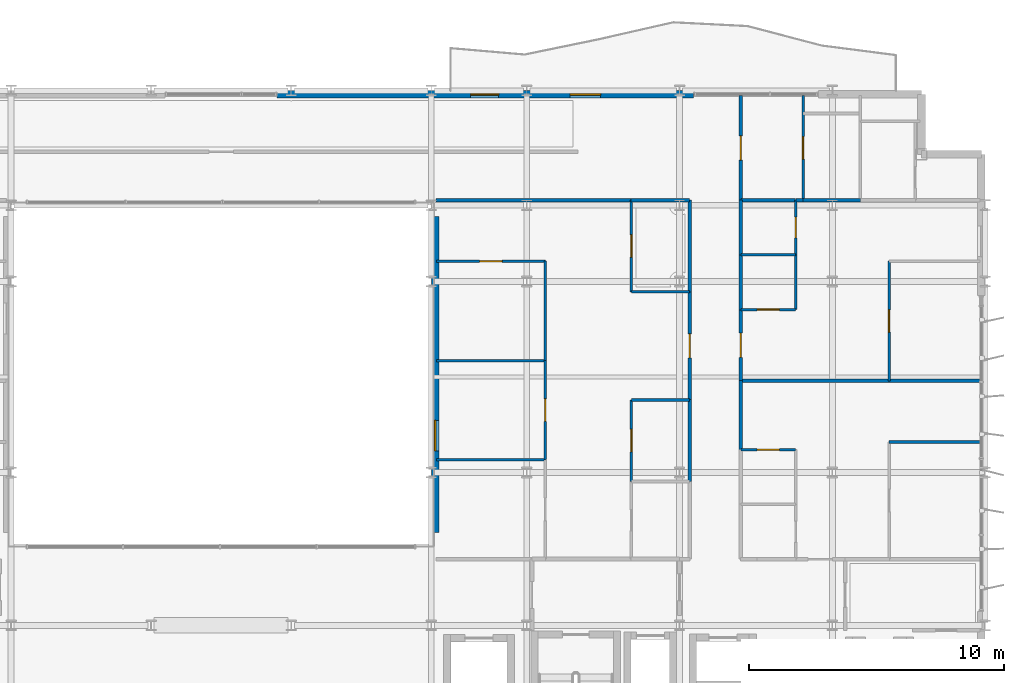
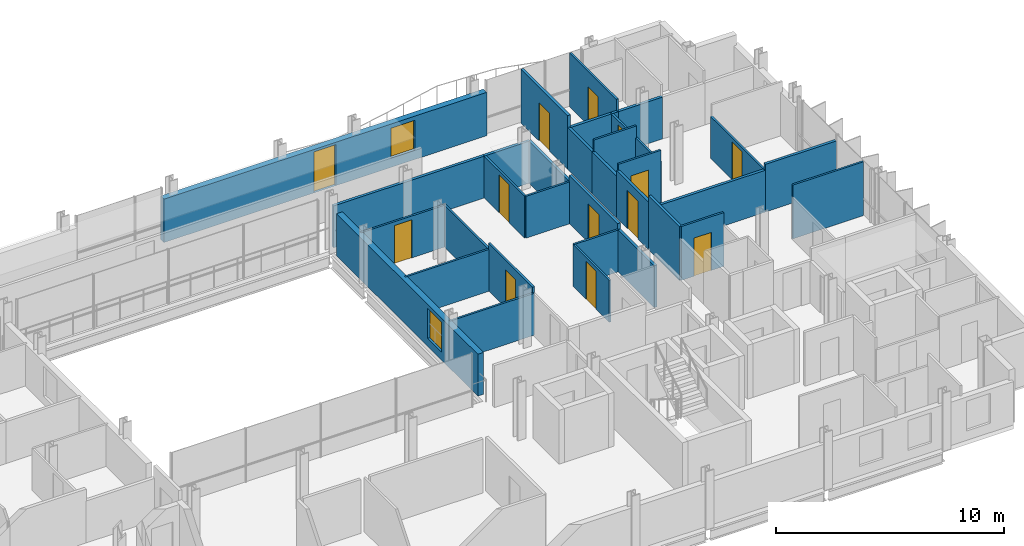
# One storey, part 32 of 39: 34 walls, 13 doors, 2 windows, 15 openings.
"""IFC4 building model written with IfcOpenShell, lengths in metres."""

from ifc_helpers import new_model, si_unit, direction, frame, frame_2d, origin, place, context, subcontext, project, spatial, rectangle, extrude, material, layer, layer_set, type_object, element, fill, save


model = new_model("IFC4")

# Units and contexts
model_context = context("Model", 3, precision=1e-05, world=origin(), true_north=direction((0.0, 1.0)))
body_context = subcontext(model_context, "Body", "Model", "MODEL_VIEW")
ifc_project = project(units=[si_unit("LENGTHUNIT", "METRE"), si_unit("AREAUNIT", "SQUARE_METRE"), si_unit("VOLUMEUNIT", "CUBIC_METRE"), si_unit("PLANEANGLEUNIT", "RADIAN"), si_unit("MASSUNIT", "GRAM", prefix="KILO")], contexts=[model_context])

# Site, building, storey
site_placement = place(None, origin())
site = spatial("IfcSite", under=ifc_project, at=site_placement, CompositionType="ELEMENT")
building_placement = place(site_placement, origin())
building = spatial("IfcBuilding", under=site, at=building_placement, Name="Brevholm Reach", CompositionType="ELEMENT")
storey_placement = place(building_placement, frame((0.0, 0.0, 109.699951171875)))
storey = spatial("IfcBuildingStorey", under=building, at=storey_placement, Name="L32", CompositionType="ELEMENT", Elevation=109.699951171875)

# Wall, openings, door, window
ifc_material_1 = material(Name="Concrete C40/50", Category="concrete")
ifc_layer_1 = layer(ifc_material_1, 0.300048828125)
ifc_layer_set_1 = layer_set([ifc_layer_1], Name="Concrete C40/50")
wall_type_1 = type_object("IfcWallType", Name="WAL-EXT-300", PredefinedType="STANDARD", material=ifc_layer_set_1)
wall_1_placement = place(storey_placement, frame((32.199951171875, 30.85009765625, 0.0), z_axis=(0.0, 0.0, 1.0), x_axis=(1.0, 0.0, 0.0)))
wall_1 = element("IfcWall", 1, at=wall_1_placement, inside=storey, type_object=wall_type_1, Name="L32 Facade Wall WAL-L32-NP-ER", PredefinedType="STANDARD", context=body_context, shape_type="SweptSolid", body=[
    extrude(rectangle(XDim=16.35009765625, YDim=0.300048828125, at=frame_2d((8.175048828125, 0.0))), origin(), (0.0, 0.0, 1.0), 2.322021484375),
])
opening_1_placement = place(wall_1_placement, frame((7.60009765625, 0.0, 0.0)))
opening_1 = element("IfcOpeningElement", 2, at=opening_1_placement, cuts=wall_1, Name="Opening BD-01", PredefinedType="OPENING", context=body_context, shape_type="SweptSolid", body=[
    extrude(rectangle(XDim=1.10009765625, YDim=2.199951171875, at=frame_2d((0.550048828125, 1.10009765625))), frame((0.0, 0.159912109375, 0.0), z_axis=(0.0, -1.0, 0.0), x_axis=(1.0, 0.0, 0.0)), (0.0, 0.0, 1.0), 0.320068359375),
])
opening_2_placement = place(wall_1_placement, frame((11.5, 0.0, 0.501953125)))
opening_2 = element("IfcOpeningElement", 3, at=opening_2_placement, cuts=wall_1, Name="Opening WN-08", PredefinedType="OPENING", context=body_context, shape_type="SweptSolid", body=[
    extrude(rectangle(XDim=1.199951171875, YDim=1.60009765625, at=frame_2d((0.60009765625, 0.800048828125))), frame((0.0, 0.159912109375, 0.0), z_axis=(0.0, -1.0, 0.0), x_axis=(1.0, 0.0, 0.0)), (0.0, 0.0, 1.0), 0.320068359375),
])
ifc_material_2 = material(Name="Dark Anodised Aluminium and Triple-Glazed Glass", Category="aluminium")
door_type_1 = type_object("IfcDoorType", Name="DOR-BALC-1100", OperationType="NOTDEFINED", PredefinedType="DOOR", material=ifc_material_2)
door_1_placement = place(opening_1_placement, origin())
door_1 = element("IfcDoor", 4, at=door_1_placement, inside=storey, type_object=door_type_1, Name="L32 Exterior Door DOR-L32-BL-NE", OperationType="SINGLE_SWING_RIGHT", OverallHeight=2.199951171875, OverallWidth=1.10009765625, PredefinedType="DOOR", context=body_context, shape_type="SweptSolid", body=[
    extrude(rectangle(XDim=1.10009765625, YDim=2.199951171875, at=frame_2d((0.550048828125, 1.10009765625))), frame((0.0, 0.02490234375, 0.0), z_axis=(0.0, -1.0, 0.0), x_axis=(1.0, 0.0, 0.0)), (0.0, 0.0, 1.0), 0.050048828125),
])
fill(opening_1, door_1)
ifc_material_3 = material(Name="Dark Anodised Aluminium and Solar-Control IGU Glass", Category="aluminium")
window_type = type_object("IfcWindowType", Name="WIN-RES-1200", PartitioningType="SINGLE_PANEL", PredefinedType="WINDOW", material=ifc_material_3)
window_1_placement = place(opening_2_placement, origin())
window_1 = element("IfcWindow", 5, at=window_1_placement, inside=storey, type_object=window_type, Name="L32 Window WIN-L32-NP-ER1", OverallHeight=1.60009765625, OverallWidth=1.199951171875, PartitioningType="SINGLE_PANEL", PredefinedType="WINDOW", context=body_context, shape_type="SweptSolid", body=[
    extrude(rectangle(XDim=1.199951171875, YDim=1.60009765625, at=frame_2d((0.60009765625, 0.800048828125))), frame((0.0, 0.030029296875, 0.0), z_axis=(0.0, -1.0, 0.0), x_axis=(1.0, 0.0, 0.0)), (0.0, 0.0, 1.0), 0.06005859375),
])
fill(opening_2, window_1)

# Wall, opening, window
wall_2_placement = place(storey_placement, frame((38.39990234375, 13.64990234375, 0.0), z_axis=(0.0, 0.0, 1.0), x_axis=(0.0, 1.0, 0.0)))
wall_2 = element("IfcWall", 6, at=wall_2_placement, inside=storey, type_object=wall_type_1, Name="L32 Facade Wall WAL-L32-AT-E", PredefinedType="STANDARD", context=body_context, shape_type="SweptSolid", body=[
    extrude(rectangle(XDim=12.400146484375, YDim=0.300048828125, at=frame_2d((6.2001953125, 0.0))), origin(), (0.0, 0.0, 1.0), 2.242919921875),
])
opening_3_placement = place(wall_2_placement, frame((3.199951171875, 0.0, 0.423095703125)))
opening_3 = element("IfcOpeningElement", 7, at=opening_3_placement, cuts=wall_2, Name="Opening WN-08", PredefinedType="OPENING", context=body_context, shape_type="SweptSolid", body=[
    extrude(rectangle(XDim=1.199951171875, YDim=1.60009765625, at=frame_2d((0.60009765625, 0.800048828125))), frame((0.0, 0.159912109375, 0.0), z_axis=(0.0, -1.0, 0.0), x_axis=(1.0, 0.0, 0.0)), (0.0, 0.0, 1.0), 0.320068359375),
])
window_2_placement = place(opening_3_placement, origin())
window_2 = element("IfcWindow", 8, at=window_2_placement, inside=storey, type_object=window_type, Name="L32 Window WIN-L32-AT-E1", OverallHeight=1.60009765625, OverallWidth=1.199951171875, PartitioningType="SINGLE_PANEL", PredefinedType="WINDOW", context=body_context, shape_type="SweptSolid", body=[
    extrude(rectangle(XDim=1.199951171875, YDim=1.60009765625, at=frame_2d((0.60009765625, 0.800048828125))), frame((0.0, 0.030029296875, 0.0), z_axis=(0.0, -1.0, 0.0), x_axis=(1.0, 0.0, 0.0)), (0.0, 0.0, 1.0), 0.06005859375),
])
fill(opening_3, window_2)

# Wall
ifc_material_4 = material(Name="Moisture-Resistant Acoustic Gypsum Stud Partition 100 mm", Category="gypsum")
ifc_layer_2 = layer(ifc_material_4, 0.10009765625)
ifc_layer_set_2 = layer_set([ifc_layer_2], Name="Moisture-Resistant Acoustic Gypsum Stud Partition 100 mm")
wall_type_2 = type_object("IfcWallType", Name="WAL-PRT-100", PredefinedType="PARTITIONING", material=ifc_layer_set_2)
wall_3_placement = place(storey_placement, frame((46.112060546875, 18.85009765625, 0.0), z_axis=(0.0, 0.0, 1.0), x_axis=(1.0, 0.0, 0.0)))
element("IfcWall", 9, at=wall_3_placement, inside=storey, type_object=wall_type_2, Name="L32 Internal Partition 127", PredefinedType="PARTITIONING", context=body_context, shape_type="SweptSolid", body=[
    extrude(rectangle(XDim=2.283935546875, YDim=0.10009765625, at=frame_2d((1.14208984375, 0.0))), origin(), (0.0, 0.0, 1.0), 2.242919921875),
])

# Wall, opening, door
wall_4_placement = place(storey_placement, frame((46.112060546875, 15.654052734375, 0.0), z_axis=(0.0, 0.0, 1.0), x_axis=(0.0, 1.0, 0.0)))
wall_4 = element("IfcWall", 10, at=wall_4_placement, inside=storey, type_object=wall_type_2, Name="L32 Internal Partition 128", PredefinedType="PARTITIONING", context=body_context, shape_type="SweptSolid", body=[
    extrude(rectangle(XDim=3.196044921875, YDim=0.10009765625, at=frame_2d((1.59814453125, 0.0))), origin(), (0.0, 0.0, 1.0), 2.242919921875),
])
opening_4_placement = place(wall_4_placement, frame((1.157958984375, 0.0, 0.0)))
opening_4 = element("IfcOpeningElement", 11, at=opening_4_placement, cuts=wall_4, Name="Opening ID-01", PredefinedType="OPENING", context=body_context, shape_type="SweptSolid", body=[
    extrude(rectangle(XDim=0.8798828125, YDim=2.0400390625, at=frame_2d((0.43994140625, 1.02001953125))), frame((0.0, 0.06005859375, 0.0), z_axis=(0.0, -1.0, 0.0), x_axis=(1.0, 0.0, 0.0)), (0.0, 0.0, 1.0), 0.1201171875),
])
ifc_material_5 = material(Name="Lacquered Ash Solid-Core Acoustic Internal Door", Category="timber")
door_type_2 = type_object("IfcDoorType", Name="DOR-INT-880", OperationType="NOTDEFINED", PredefinedType="DOOR", material=ifc_material_5)
door_2_placement = place(opening_4_placement, origin())
door_2 = element("IfcDoor", 12, at=door_2_placement, inside=storey, type_object=door_type_2, Name="L32 Internal Door 047", OperationType="SINGLE_SWING_LEFT", OverallHeight=2.0400390625, OverallWidth=0.8798828125, PredefinedType="DOOR", context=body_context, shape_type="SweptSolid", body=[
    extrude(rectangle(XDim=0.8798828125, YDim=2.0400390625, at=frame_2d((0.43994140625, 1.02001953125))), frame((0.0, 0.02490234375, 0.0), z_axis=(0.0, -1.0, 0.0), x_axis=(1.0, 0.0, 0.0)), (0.0, 0.0, 1.0), 0.050048828125),
])
fill(opening_4, door_2)

# Wall
wall_5_placement = place(storey_placement, frame((46.112060546875, 23.10009765625, 0.0), z_axis=(0.0, 0.0, 1.0), x_axis=(1.0, 0.0, 0.0)))
element("IfcWall", 13, at=wall_5_placement, inside=storey, type_object=wall_type_2, Name="L32 Internal Partition 129", PredefinedType="PARTITIONING", context=body_context, shape_type="SweptSolid", body=[
    extrude(rectangle(XDim=2.283935546875, YDim=0.10009765625, at=frame_2d((1.14208984375, 0.0))), origin(), (0.0, 0.0, 1.0), 2.242919921875),
])

# Wall, opening, door
wall_6_placement = place(storey_placement, frame((46.112060546875, 23.10009765625, 0.0), z_axis=(0.0, 0.0, 1.0), x_axis=(0.0, 1.0, 0.0)))
wall_6 = element("IfcWall", 14, at=wall_6_placement, inside=storey, type_object=wall_type_2, Name="L32 Internal Partition 130", PredefinedType="PARTITIONING", context=body_context, shape_type="SweptSolid", body=[
    extrude(rectangle(XDim=3.595947265625, YDim=0.10009765625, at=frame_2d((1.7978515625, 0.0))), origin(), (0.0, 0.0, 1.0), 2.242919921875),
])
opening_5_placement = place(wall_6_placement, frame((1.35791015625, 0.0, 0.0)))
opening_5 = element("IfcOpeningElement", 15, at=opening_5_placement, cuts=wall_6, Name="Opening ID-01", PredefinedType="OPENING", context=body_context, shape_type="SweptSolid", body=[
    extrude(rectangle(XDim=0.8798828125, YDim=2.0400390625, at=frame_2d((0.43994140625, 1.02001953125))), frame((0.0, 0.06005859375, 0.0), z_axis=(0.0, -1.0, 0.0), x_axis=(1.0, 0.0, 0.0)), (0.0, 0.0, 1.0), 0.1201171875),
])
door_3_placement = place(opening_5_placement, origin())
door_3 = element("IfcDoor", 16, at=door_3_placement, inside=storey, type_object=door_type_2, Name="L32 Internal Door 048", OperationType="SINGLE_SWING_RIGHT", OverallHeight=2.0400390625, OverallWidth=0.8798828125, PredefinedType="DOOR", context=body_context, shape_type="SweptSolid", body=[
    extrude(rectangle(XDim=0.8798828125, YDim=2.0400390625, at=frame_2d((0.43994140625, 1.02001953125))), frame((0.0, 0.02490234375, 0.0), z_axis=(0.0, -1.0, 0.0), x_axis=(1.0, 0.0, 0.0)), (0.0, 0.0, 1.0), 0.050048828125),
])
fill(opening_5, door_3)

# Walls
for number, where, z_axis, x_axis, name in (
    (17, (38.449951171875, 16.5, 0.0), (0.0, 0.0, 1.0), (1.0, 0.0, 0.0), "L32 Internal Partition 131"),
    (18, (38.449951171875, 20.39990234375, 0.0), (0.0, 0.0, 1.0), (1.0, 0.0, 0.0), "L32 Internal Partition 133"),
):
    element("IfcWall", number, at=place(storey_placement, frame(where, z_axis=z_axis, x_axis=x_axis)), inside=storey, type_object=wall_type_2, Name=name, PredefinedType="PARTITIONING", context=body_context, shape_type="SweptSolid", body=[
        extrude(rectangle(XDim=4.278076171875, YDim=0.10009765625, at=frame_2d((2.13916015625, 0.0))), origin(), (0.0, 0.0, 1.0), 2.242919921875),
    ])

# Wall, opening, door
wall_7_placement = place(storey_placement, frame((42.72802734375, 16.50390625, 0.0), z_axis=(0.0, 0.0, 1.0), x_axis=(0.0, 1.0, 0.0)))
wall_7 = element("IfcWall", 19, at=wall_7_placement, inside=storey, type_object=wall_type_2, Name="L32 Internal Partition 134", PredefinedType="PARTITIONING", context=body_context, shape_type="SweptSolid", body=[
    extrude(rectangle(XDim=3.89599609375, YDim=0.10009765625, at=frame_2d((1.947998046875, 0.0))), origin(), (0.0, 0.0, 1.0), 2.5517578125),
])
opening_6_placement = place(wall_7_placement, frame((1.508056640625, 0.0, 0.0)))
opening_6 = element("IfcOpeningElement", 20, at=opening_6_placement, cuts=wall_7, Name="Opening ID-01", PredefinedType="OPENING", context=body_context, shape_type="SweptSolid", body=[
    extrude(rectangle(XDim=0.8798828125, YDim=2.0400390625, at=frame_2d((0.43994140625, 1.02001953125))), frame((0.0, 0.06005859375, 0.0), z_axis=(0.0, -1.0, 0.0), x_axis=(1.0, 0.0, 0.0)), (0.0, 0.0, 1.0), 0.1201171875),
])
door_4_placement = place(opening_6_placement, origin())
door_4 = element("IfcDoor", 21, at=door_4_placement, inside=storey, type_object=door_type_2, Name="L32 Internal Door 050", OperationType="SINGLE_SWING_RIGHT", OverallHeight=2.0400390625, OverallWidth=0.8798828125, PredefinedType="DOOR", context=body_context, shape_type="SweptSolid", body=[
    extrude(rectangle(XDim=0.8798828125, YDim=2.0400390625, at=frame_2d((0.43994140625, 1.02001953125))), frame((0.0, 0.02490234375, 0.0), z_axis=(0.0, -1.0, 0.0), x_axis=(1.0, 0.0, 0.0)), (0.0, 0.0, 1.0), 0.050048828125),
])
fill(opening_6, door_4)

# Wall
wall_8_placement = place(storey_placement, frame((42.72802734375, 20.404052734375, 0.0), z_axis=(0.0, 0.0, 1.0), x_axis=(0.0, 1.0, 0.0)))
element("IfcWall", 22, at=wall_8_placement, inside=storey, type_object=wall_type_2, Name="L32 Internal Partition 135", PredefinedType="PARTITIONING", context=body_context, shape_type="SweptSolid", body=[
    extrude(rectangle(XDim=3.89599609375, YDim=0.10009765625, at=frame_2d((1.947998046875, 0.0))), origin(), (0.0, 0.0, 1.0), 2.242919921875),
])

# Wall, opening, door
wall_9_placement = place(storey_placement, frame((38.449951171875, 24.300048828125, 0.0), z_axis=(0.0, 0.0, 1.0), x_axis=(1.0, 0.0, 0.0)))
wall_9 = element("IfcWall", 23, at=wall_9_placement, inside=storey, type_object=wall_type_2, Name="L32 Internal Partition 136", PredefinedType="PARTITIONING", context=body_context, shape_type="SweptSolid", body=[
    extrude(rectangle(XDim=4.278076171875, YDim=0.10009765625, at=frame_2d((2.13916015625, 0.0))), origin(), (0.0, 0.0, 1.0), 2.242919921875),
])
opening_7_placement = place(wall_9_placement, frame((1.698974609375, 0.0, 0.0)))
opening_7 = element("IfcOpeningElement", 24, at=opening_7_placement, cuts=wall_9, Name="Opening ID-01", PredefinedType="OPENING", context=body_context, shape_type="SweptSolid", body=[
    extrude(rectangle(XDim=0.8798828125, YDim=2.0400390625, at=frame_2d((0.43994140625, 1.02001953125))), frame((0.0, 0.06005859375, 0.0), z_axis=(0.0, -1.0, 0.0), x_axis=(1.0, 0.0, 0.0)), (0.0, 0.0, 1.0), 0.1201171875),
])
door_5_placement = place(opening_7_placement, origin())
door_5 = element("IfcDoor", 25, at=door_5_placement, inside=storey, type_object=door_type_2, Name="L32 Internal Door 051", OperationType="SINGLE_SWING_LEFT", OverallHeight=2.0400390625, OverallWidth=0.8798828125, PredefinedType="DOOR", context=body_context, shape_type="SweptSolid", body=[
    extrude(rectangle(XDim=0.8798828125, YDim=2.0400390625, at=frame_2d((0.43994140625, 1.02001953125))), frame((0.0, 0.02490234375, 0.0), z_axis=(0.0, -1.0, 0.0), x_axis=(1.0, 0.0, 0.0)), (0.0, 0.0, 1.0), 0.050048828125),
])
fill(opening_7, door_5)

wall_10_placement = place(storey_placement, frame((50.404052734375, 16.89990234375, 0.0), z_axis=(0.0, 0.0, 1.0), x_axis=(1.0, 0.0, 0.0)))
wall_10 = element("IfcWall", 26, at=wall_10_placement, inside=storey, type_object=wall_type_2, Name="L32 Internal Partition 140", PredefinedType="PARTITIONING", context=body_context, shape_type="SweptSolid", body=[
    extrude(rectangle(XDim=2.157958984375, YDim=0.10009765625, at=frame_2d((1.0791015625, 0.0))), origin(), (0.0, 0.0, 1.0), 2.880126953125),
])
opening_8_placement = place(wall_10_placement, frame((0.638916015625, 0.0, 0.0)))
opening_8 = element("IfcOpeningElement", 27, at=opening_8_placement, cuts=wall_10, Name="Opening ID-01", PredefinedType="OPENING", context=body_context, shape_type="SweptSolid", body=[
    extrude(rectangle(XDim=0.8798828125, YDim=2.0400390625, at=frame_2d((0.43994140625, 1.02001953125))), frame((0.0, 0.06005859375, 0.0), z_axis=(0.0, -1.0, 0.0), x_axis=(1.0, 0.0, 0.0)), (0.0, 0.0, 1.0), 0.1201171875),
])
door_6_placement = place(opening_8_placement, origin())
door_6 = element("IfcDoor", 28, at=door_6_placement, inside=storey, type_object=door_type_2, Name="L32 Internal Door 053", OperationType="SINGLE_SWING_LEFT", OverallHeight=2.0400390625, OverallWidth=0.8798828125, PredefinedType="DOOR", context=body_context, shape_type="SweptSolid", body=[
    extrude(rectangle(XDim=0.8798828125, YDim=2.0400390625, at=frame_2d((0.43994140625, 1.02001953125))), frame((0.0, 0.02490234375, 0.0), z_axis=(0.0, -1.0, 0.0), x_axis=(1.0, 0.0, 0.0)), (0.0, 0.0, 1.0), 0.050048828125),
])
fill(opening_8, door_6)

# Walls
wall_11_placement = place(storey_placement, frame((56.22802734375, 17.199951171875, 0.0), z_axis=(0.0, 0.0, 1.0), x_axis=(1.0, 0.0, 0.0)))
element("IfcWall", 29, at=wall_11_placement, inside=storey, type_object=wall_type_2, Name="L32 Internal Partition 141", PredefinedType="PARTITIONING", context=body_context, shape_type="SweptSolid", body=[
    extrude(rectangle(XDim=3.572021484375, YDim=0.10009765625, at=frame_2d((1.7861328125, 0.0))), origin(), (0.0, 0.0, 1.0), 2.880126953125),
])
wall_12_placement = place(storey_placement, frame((50.404052734375, 24.550048828125, 0.0), z_axis=(0.0, 0.0, 1.0), x_axis=(1.0, 0.0, 0.0)))
element("IfcWall", 30, at=wall_12_placement, inside=storey, type_object=wall_type_2, Name="L32 Internal Partition 145", PredefinedType="PARTITIONING", context=body_context, shape_type="SweptSolid", body=[
    extrude(rectangle(XDim=2.157958984375, YDim=0.10009765625, at=frame_2d((1.0791015625, 0.0))), origin(), (0.0, 0.0, 1.0), 2.880126953125),
])

# Wall, opening, door
wall_13_placement = place(storey_placement, frame((52.56201171875, 24.550048828125, 0.0), z_axis=(0.0, 0.0, 1.0), x_axis=(0.0, 1.0, 0.0)))
wall_13 = element("IfcWall", 31, at=wall_13_placement, inside=storey, type_object=wall_type_2, Name="L32 Internal Partition 146", PredefinedType="PARTITIONING", context=body_context, shape_type="SweptSolid", body=[
    extrude(rectangle(XDim=2.14990234375, YDim=0.10009765625, at=frame_2d((1.074951171875, 0.0))), origin(), (0.0, 0.0, 1.0), 2.242919921875),
])
opening_9_placement = place(wall_13_placement, frame((0.6650390625, 0.0, 0.0)))
opening_9 = element("IfcOpeningElement", 32, at=opening_9_placement, cuts=wall_13, Name="Opening ID-03", PredefinedType="OPENING", context=body_context, shape_type="SweptSolid", body=[
    extrude(rectangle(XDim=0.820068359375, YDim=2.02001953125, at=frame_2d((0.41015625, 1.010009765625))), frame((0.0, 0.06005859375, 0.0), z_axis=(0.0, -1.0, 0.0), x_axis=(1.0, 0.0, 0.0)), (0.0, 0.0, 1.0), 0.1201171875),
])
ifc_material_6 = material(Name="Moisture-Resistant Painted Timber Internal Bathroom Door", Category="wood")
door_type_3 = type_object("IfcDoorType", Name="DOR-BATH-820", OperationType="NOTDEFINED", PredefinedType="DOOR", material=ifc_material_6)
door_7_placement = place(opening_9_placement, origin())
door_7 = element("IfcDoor", 33, at=door_7_placement, inside=storey, type_object=door_type_3, Name="L32 Internal Door 055", OperationType="SINGLE_SWING_LEFT", OverallHeight=2.02001953125, OverallWidth=0.820068359375, PredefinedType="DOOR", context=body_context, shape_type="SweptSolid", body=[
    extrude(rectangle(XDim=0.820068359375, YDim=2.02001953125, at=frame_2d((0.41015625, 1.010009765625))), frame((0.0, 0.02490234375, 0.0), z_axis=(0.0, -1.0, 0.0), x_axis=(1.0, 0.0, 0.0)), (0.0, 0.0, 1.0), 0.050048828125),
])
fill(opening_9, door_7)

wall_14_placement = place(storey_placement, frame((50.404052734375, 22.39990234375, 0.0), z_axis=(0.0, 0.0, 1.0), x_axis=(1.0, 0.0, 0.0)))
wall_14 = element("IfcWall", 34, at=wall_14_placement, inside=storey, type_object=wall_type_2, Name="L32 Internal Partition 148", PredefinedType="PARTITIONING", context=body_context, shape_type="SweptSolid", body=[
    extrude(rectangle(XDim=2.157958984375, YDim=0.10009765625, at=frame_2d((1.0791015625, 0.0))), origin(), (0.0, 0.0, 1.0), 2.880126953125),
])
opening_10_placement = place(wall_14_placement, frame((0.638916015625, 0.0, 0.0)))
opening_10 = element("IfcOpeningElement", 35, at=opening_10_placement, cuts=wall_14, Name="Opening ID-01", PredefinedType="OPENING", context=body_context, shape_type="SweptSolid", body=[
    extrude(rectangle(XDim=0.8798828125, YDim=2.0400390625, at=frame_2d((0.43994140625, 1.02001953125))), frame((0.0, 0.06005859375, 0.0), z_axis=(0.0, -1.0, 0.0), x_axis=(1.0, 0.0, 0.0)), (0.0, 0.0, 1.0), 0.1201171875),
])
door_8_placement = place(opening_10_placement, origin())
door_8 = element("IfcDoor", 36, at=door_8_placement, inside=storey, type_object=door_type_2, Name="L32 Internal Door 056", OperationType="SINGLE_SWING_RIGHT", OverallHeight=2.0400390625, OverallWidth=0.8798828125, PredefinedType="DOOR", context=body_context, shape_type="SweptSolid", body=[
    extrude(rectangle(XDim=0.8798828125, YDim=2.0400390625, at=frame_2d((0.43994140625, 1.02001953125))), frame((0.0, 0.02490234375, 0.0), z_axis=(0.0, -1.0, 0.0), x_axis=(1.0, 0.0, 0.0)), (0.0, 0.0, 1.0), 0.050048828125),
])
fill(opening_10, door_8)

# Wall
wall_15_placement = place(storey_placement, frame((52.56201171875, 22.39990234375, 0.0), z_axis=(0.0, 0.0, 1.0), x_axis=(0.0, 1.0, 0.0)))
element("IfcWall", 37, at=wall_15_placement, inside=storey, type_object=wall_type_2, Name="L32 Internal Partition 149", PredefinedType="PARTITIONING", context=body_context, shape_type="SweptSolid", body=[
    extrude(rectangle(XDim=2.14599609375, YDim=0.10009765625, at=frame_2d((1.072998046875, 0.0))), origin(), (0.0, 0.0, 1.0), 2.242919921875),
])

# Wall, opening, door
wall_16_placement = place(storey_placement, frame((56.22802734375, 19.60400390625, 0.0), z_axis=(0.0, 0.0, 1.0), x_axis=(0.0, 1.0, 0.0)))
wall_16 = element("IfcWall", 38, at=wall_16_placement, inside=storey, type_object=wall_type_2, Name="L32 Internal Partition 151", PredefinedType="PARTITIONING", context=body_context, shape_type="SweptSolid", body=[
    extrude(rectangle(XDim=4.696044921875, YDim=0.10009765625, at=frame_2d((2.34814453125, 0.0))), origin(), (0.0, 0.0, 1.0), 2.242919921875),
])
opening_11_placement = place(wall_16_placement, frame((1.907958984375, 0.0, 0.0)))
opening_11 = element("IfcOpeningElement", 39, at=opening_11_placement, cuts=wall_16, Name="Opening ID-01", PredefinedType="OPENING", context=body_context, shape_type="SweptSolid", body=[
    extrude(rectangle(XDim=0.8798828125, YDim=2.0400390625, at=frame_2d((0.43994140625, 1.02001953125))), frame((0.0, 0.06005859375, 0.0), z_axis=(0.0, -1.0, 0.0), x_axis=(1.0, 0.0, 0.0)), (0.0, 0.0, 1.0), 0.1201171875),
])
door_9_placement = place(opening_11_placement, origin())
door_9 = element("IfcDoor", 40, at=door_9_placement, inside=storey, type_object=door_type_2, Name="L32 Internal Door 057", OperationType="SINGLE_SWING_LEFT", OverallHeight=2.0400390625, OverallWidth=0.8798828125, PredefinedType="DOOR", context=body_context, shape_type="SweptSolid", body=[
    extrude(rectangle(XDim=0.8798828125, YDim=2.0400390625, at=frame_2d((0.43994140625, 1.02001953125))), frame((0.0, 0.02490234375, 0.0), z_axis=(0.0, -1.0, 0.0), x_axis=(1.0, 0.0, 0.0)), (0.0, 0.0, 1.0), 0.050048828125),
])
fill(opening_11, door_9)

wall_17_placement = place(storey_placement, frame((52.85009765625, 26.7041015625, 0.0), z_axis=(0.0, 0.0, 1.0), x_axis=(0.0, 1.0, 0.0)))
wall_17 = element("IfcWall", 41, at=wall_17_placement, inside=storey, type_object=wall_type_2, Name="L32 Internal Partition 167", PredefinedType="PARTITIONING", context=body_context, shape_type="SweptSolid", body=[
    extrude(rectangle(XDim=4.095947265625, YDim=0.10009765625, at=frame_2d((2.0478515625, 0.0))), origin(), (0.0, 0.0, 1.0), 2.880126953125),
])
opening_12_placement = place(wall_17_placement, frame((1.60791015625, 0.0, 0.0)))
opening_12 = element("IfcOpeningElement", 42, at=opening_12_placement, cuts=wall_17, Name="Opening ID-01", PredefinedType="OPENING", context=body_context, shape_type="SweptSolid", body=[
    extrude(rectangle(XDim=0.8798828125, YDim=2.0400390625, at=frame_2d((0.43994140625, 1.02001953125))), frame((0.0, 0.06005859375, 0.0), z_axis=(0.0, -1.0, 0.0), x_axis=(1.0, 0.0, 0.0)), (0.0, 0.0, 1.0), 0.1201171875),
])
door_10_placement = place(opening_12_placement, origin())
door_10 = element("IfcDoor", 43, at=door_10_placement, inside=storey, type_object=door_type_2, Name="L32 Internal Door 061", OperationType="SINGLE_SWING_LEFT", OverallHeight=2.0400390625, OverallWidth=0.8798828125, PredefinedType="DOOR", context=body_context, shape_type="SweptSolid", body=[
    extrude(rectangle(XDim=0.8798828125, YDim=2.0400390625, at=frame_2d((0.43994140625, 1.02001953125))), frame((0.0, 0.02490234375, 0.0), z_axis=(0.0, -1.0, 0.0), x_axis=(1.0, 0.0, 0.0)), (0.0, 0.0, 1.0), 0.050048828125),
])
fill(opening_12, door_10)

# Walls
ifc_material_7 = material(Name="Twin-Stud Acoustic Fire-Rated Gypsum Partition 140 mm", Category="gypsum")
ifc_layer_3 = layer(ifc_material_7, 0.139892578125)
ifc_layer_set_3 = layer_set([ifc_layer_3], Name="Twin-Stud Acoustic Fire-Rated Gypsum Partition 140 mm")
wall_type_3 = type_object("IfcWallType", Name="WAL-PRT-140", PredefinedType="PARTITIONING", material=ifc_layer_set_3)
wall_18_placement = place(storey_placement, frame((48.39990234375, 15.642578125, 0.0), z_axis=(0.0, 0.0, 1.0), x_axis=(0.0, 1.0, 0.0)))
element("IfcWall", 44, at=wall_18_placement, inside=storey, type_object=wall_type_3, Name="L32 Internal Partition 052", PredefinedType="PARTITIONING", context=body_context, shape_type="SweptSolid", body=[
    extrude(rectangle(XDim=3.21875, YDim=0.139892578125, at=frame_2d((1.609375, 0.0))), origin(), (0.0, 0.0, 1.0), 2.242919921875),
])
wall_19_placement = place(storey_placement, frame((48.39990234375, 23.088623046875, 0.0), z_axis=(0.0, 0.0, 1.0), x_axis=(0.0, 1.0, 0.0)))
element("IfcWall", 45, at=wall_19_placement, inside=storey, type_object=wall_type_3, Name="L32 Internal Partition 053", PredefinedType="PARTITIONING", context=body_context, shape_type="SweptSolid", body=[
    extrude(rectangle(XDim=3.61865234375, YDim=0.139892578125, at=frame_2d((1.809326171875, 0.0))), origin(), (0.0, 0.0, 1.0), 2.242919921875),
])

# Wall, opening, door
wall_20_placement = place(storey_placement, frame((48.39990234375, 18.8427734375, 0.0), z_axis=(0.0, 0.0, 1.0), x_axis=(0.0, 1.0, 0.0)))
wall_20 = element("IfcWall", 46, at=wall_20_placement, inside=storey, type_object=wall_type_3, Name="L32 Internal Partition 054", PredefinedType="PARTITIONING", context=body_context, shape_type="SweptSolid", body=[
    extrude(rectangle(XDim=4.2646484375, YDim=0.139892578125, at=frame_2d((2.13232421875, 0.0))), origin(), (0.0, 0.0, 1.0), 2.5517578125),
])
opening_13_placement = place(wall_20_placement, frame((1.6572265625, 0.0, 0.0)))
opening_13 = element("IfcOpeningElement", 47, at=opening_13_placement, cuts=wall_20, Name="Opening ID-30", PredefinedType="OPENING", context=body_context, shape_type="SweptSolid", body=[
    extrude(rectangle(XDim=0.949951171875, YDim=2.050048828125, at=frame_2d((0.47509765625, 1.02490234375))), frame((0.0, 0.079833984375, 0.0), z_axis=(0.0, -1.0, 0.0), x_axis=(1.0, 0.0, 0.0)), (0.0, 0.0, 1.0), 0.159912109375),
])
ifc_material_8 = material(Name="European Oak Veneered Solid-Core Fire Entrance Door", Category="timber")
door_type_4 = type_object("IfcDoorType", Name="DOR-FLT-FD30S", OperationType="NOTDEFINED", PredefinedType="DOOR", material=ifc_material_8)
door_11_placement = place(opening_13_placement, origin())
door_11 = element("IfcDoor", 48, at=door_11_placement, inside=storey, type_object=door_type_4, Name="L32 Internal Door 022", OperationType="SINGLE_SWING_RIGHT", OverallHeight=2.050048828125, OverallWidth=0.949951171875, PredefinedType="DOOR", context=body_context, shape_type="SweptSolid", body=[
    extrude(rectangle(XDim=0.949951171875, YDim=2.050048828125, at=frame_2d((0.47509765625, 1.02490234375))), frame((0.0, 0.02490234375, 0.0), z_axis=(0.0, -1.0, 0.0), x_axis=(1.0, 0.0, 0.0)), (0.0, 0.0, 1.0), 0.050048828125),
])
fill(opening_13, door_11)

# Walls
wall_21_placement = place(storey_placement, frame((50.39990234375, 16.892578125, 0.0), z_axis=(0.0, 0.0, 1.0), x_axis=(0.0, 1.0, 0.0)))
element("IfcWall", 49, at=wall_21_placement, inside=storey, type_object=wall_type_3, Name="L32 Internal Partition 057", PredefinedType="PARTITIONING", context=body_context, shape_type="SweptSolid", body=[
    extrude(rectangle(XDim=2.71875, YDim=0.139892578125, at=frame_2d((1.359375, 0.0))), origin(), (0.0, 0.0, 1.0), 2.880126953125),
])
wall_22_placement = place(storey_placement, frame((50.39990234375, 24.538818359375, 0.0), z_axis=(0.0, 0.0, 1.0), x_axis=(0.0, 1.0, 0.0)))
element("IfcWall", 50, at=wall_22_placement, inside=storey, type_object=wall_type_3, Name="L32 Internal Partition 058", PredefinedType="PARTITIONING", context=body_context, shape_type="SweptSolid", body=[
    extrude(rectangle(XDim=2.17236328125, YDim=0.139892578125, at=frame_2d((1.086181640625, 0.0))), origin(), (0.0, 0.0, 1.0), 2.242919921875),
])
wall_23_placement = place(storey_placement, frame((50.39990234375, 22.388671875, 0.0), z_axis=(0.0, 0.0, 1.0), x_axis=(0.0, 1.0, 0.0)))
element("IfcWall", 51, at=wall_23_placement, inside=storey, type_object=wall_type_3, Name="L32 Internal Partition 059", PredefinedType="PARTITIONING", context=body_context, shape_type="SweptSolid", body=[
    extrude(rectangle(XDim=2.168701171875, YDim=0.139892578125, at=frame_2d((1.08447265625, 0.0))), origin(), (0.0, 0.0, 1.0), 2.242919921875),
])

# Wall, opening, door
wall_24_placement = place(storey_placement, frame((50.39990234375, 19.5927734375, 0.0), z_axis=(0.0, 0.0, 1.0), x_axis=(0.0, 1.0, 0.0)))
wall_24 = element("IfcWall", 52, at=wall_24_placement, inside=storey, type_object=wall_type_3, Name="L32 Internal Partition 060", PredefinedType="PARTITIONING", context=body_context, shape_type="SweptSolid", body=[
    extrude(rectangle(XDim=2.814453125, YDim=0.139892578125, at=frame_2d((1.4072265625, 0.0))), origin(), (0.0, 0.0, 1.0), 2.5517578125),
])
opening_14_placement = place(wall_24_placement, frame((0.932373046875, 0.0, 0.0)))
opening_14 = element("IfcOpeningElement", 53, at=opening_14_placement, cuts=wall_24, Name="Opening ID-30", PredefinedType="OPENING", context=body_context, shape_type="SweptSolid", body=[
    extrude(rectangle(XDim=0.949951171875, YDim=2.050048828125, at=frame_2d((0.47509765625, 1.02490234375))), frame((0.0, 0.079833984375, 0.0), z_axis=(0.0, -1.0, 0.0), x_axis=(1.0, 0.0, 0.0)), (0.0, 0.0, 1.0), 0.159912109375),
])
door_12_placement = place(opening_14_placement, origin())
door_12 = element("IfcDoor", 54, at=door_12_placement, inside=storey, type_object=door_type_4, Name="L32 Internal Door 023", OperationType="SINGLE_SWING_LEFT", OverallHeight=2.050048828125, OverallWidth=0.949951171875, PredefinedType="DOOR", context=body_context, shape_type="SweptSolid", body=[
    extrude(rectangle(XDim=0.949951171875, YDim=2.050048828125, at=frame_2d((0.47509765625, 1.02490234375))), frame((0.0, 0.02490234375, 0.0), z_axis=(0.0, -1.0, 0.0), x_axis=(1.0, 0.0, 0.0)), (0.0, 0.0, 1.0), 0.050048828125),
])
fill(opening_14, door_12)

wall_25_placement = place(storey_placement, frame((50.39990234375, 26.692626953125, 0.0), z_axis=(0.0, 0.0, 1.0), x_axis=(0.0, 1.0, 0.0)))
wall_25 = element("IfcWall", 55, at=wall_25_placement, inside=storey, type_object=wall_type_3, Name="L32 Internal Partition 061", PredefinedType="PARTITIONING", context=body_context, shape_type="SweptSolid", body=[
    extrude(rectangle(XDim=4.107421875, YDim=0.139892578125, at=frame_2d((2.0537109375, 0.0))), origin(), (0.0, 0.0, 1.0), 2.880126953125),
])
opening_15_placement = place(wall_25_placement, frame((1.57861328125, 0.0, 0.0)))
opening_15 = element("IfcOpeningElement", 56, at=opening_15_placement, cuts=wall_25, Name="Opening ID-30", PredefinedType="OPENING", context=body_context, shape_type="SweptSolid", body=[
    extrude(rectangle(XDim=0.949951171875, YDim=2.050048828125, at=frame_2d((0.47509765625, 1.02490234375))), frame((0.0, 0.079833984375, 0.0), z_axis=(0.0, -1.0, 0.0), x_axis=(1.0, 0.0, 0.0)), (0.0, 0.0, 1.0), 0.159912109375),
])
door_13_placement = place(opening_15_placement, origin())
door_13 = element("IfcDoor", 57, at=door_13_placement, inside=storey, type_object=door_type_4, Name="L32 Internal Door 024", OperationType="SINGLE_SWING_RIGHT", OverallHeight=2.050048828125, OverallWidth=0.949951171875, PredefinedType="DOOR", context=body_context, shape_type="SweptSolid", body=[
    extrude(rectangle(XDim=0.949951171875, YDim=2.050048828125, at=frame_2d((0.47509765625, 1.02490234375))), frame((0.0, 0.02490234375, 0.0), z_axis=(0.0, -1.0, 0.0), x_axis=(1.0, 0.0, 0.0)), (0.0, 0.0, 1.0), 0.050048828125),
])
fill(opening_15, door_13)

# Walls
wall_26_placement = place(storey_placement, frame((46.1005859375, 26.699951171875, 0.0), z_axis=(0.0, 0.0, 1.0), x_axis=(1.0, 0.0, 0.0)))
element("IfcWall", 58, at=wall_26_placement, inside=storey, type_object=wall_type_3, Name="L32 Internal Partition 064", PredefinedType="PARTITIONING", context=body_context, shape_type="SweptSolid", body=[
    extrude(rectangle(XDim=2.29541015625, YDim=0.139892578125, at=frame_2d((1.147705078125, 0.0))), origin(), (0.0, 0.0, 1.0), 2.242919921875),
])
wall_27_placement = place(storey_placement, frame((38.438720703125, 26.699951171875, 0.0), z_axis=(0.0, 0.0, 1.0), x_axis=(1.0, 0.0, 0.0)))
element("IfcWall", 59, at=wall_27_placement, inside=storey, type_object=wall_type_3, Name="L32 Internal Partition 065", PredefinedType="PARTITIONING", context=body_context, shape_type="SweptSolid", body=[
    extrude(rectangle(XDim=7.6806640625, YDim=0.139892578125, at=frame_2d((3.84033203125, 0.0))), origin(), (0.0, 0.0, 1.0), 2.242919921875),
])
wall_28_placement = place(storey_placement, frame((56.216796875, 19.60009765625, 0.0), z_axis=(0.0, 0.0, 1.0), x_axis=(1.0, 0.0, 0.0)))
element("IfcWall", 60, at=wall_28_placement, inside=storey, type_object=wall_type_3, Name="L32 Internal Partition 143", PredefinedType="PARTITIONING", context=body_context, shape_type="SweptSolid", body=[
    extrude(rectangle(XDim=3.583251953125, YDim=0.139892578125, at=frame_2d((1.79150390625, 0.0))), origin(), (0.0, 0.0, 1.0), 2.5517578125),
])
wall_29_placement = place(storey_placement, frame((50.404052734375, 19.60009765625, 0.0), z_axis=(0.0, 0.0, 1.0), x_axis=(1.0, 0.0, 0.0)))
element("IfcWall", 61, at=wall_29_placement, inside=storey, type_object=wall_type_3, Name="L32 Internal Partition 144", PredefinedType="PARTITIONING", context=body_context, shape_type="SweptSolid", body=[
    extrude(rectangle(XDim=5.831298828125, YDim=0.139892578125, at=frame_2d((2.91552734375, 0.0))), origin(), (0.0, 0.0, 1.0), 2.242919921875),
])
wall_30_placement = place(storey_placement, frame((50.404052734375, 26.699951171875, 0.0), z_axis=(0.0, 0.0, 1.0), x_axis=(1.0, 0.0, 0.0)))
element("IfcWall", 62, at=wall_30_placement, inside=storey, type_object=wall_type_3, Name="L32 Internal Partition 147", PredefinedType="PARTITIONING", context=body_context, shape_type="SweptSolid", body=[
    extrude(rectangle(XDim=2.157958984375, YDim=0.139892578125, at=frame_2d((1.0791015625, 0.0))), origin(), (0.0, 0.0, 1.0), 2.242919921875),
])
wall_31_placement = place(storey_placement, frame((52.838623046875, 26.699951171875, 0.0), z_axis=(0.0, 0.0, 1.0), x_axis=(1.0, 0.0, 0.0)))
element("IfcWall", 63, at=wall_31_placement, inside=storey, type_object=wall_type_3, Name="L32 Internal Partition 153", PredefinedType="PARTITIONING", context=body_context, shape_type="SweptSolid", body=[
    extrude(rectangle(XDim=2.268798828125, YDim=0.139892578125, at=frame_2d((1.13427734375, 0.0))), origin(), (0.0, 0.0, 1.0), 2.242919921875),
])
wall_32_placement = place(storey_placement, frame((52.56591796875, 26.699951171875, 0.0), z_axis=(0.0, 0.0, 1.0), x_axis=(1.0, 0.0, 0.0)))
element("IfcWall", 64, at=wall_32_placement, inside=storey, type_object=wall_type_3, Name="L32 Internal Partition 155", PredefinedType="PARTITIONING", context=body_context, shape_type="SweptSolid", body=[
    extrude(rectangle(XDim=0.29150390625, YDim=0.139892578125, at=frame_2d((0.145751953125, 0.0))), origin(), (0.0, 0.0, 1.0), 2.242919921875),
])

save(model, "model.ifc")
